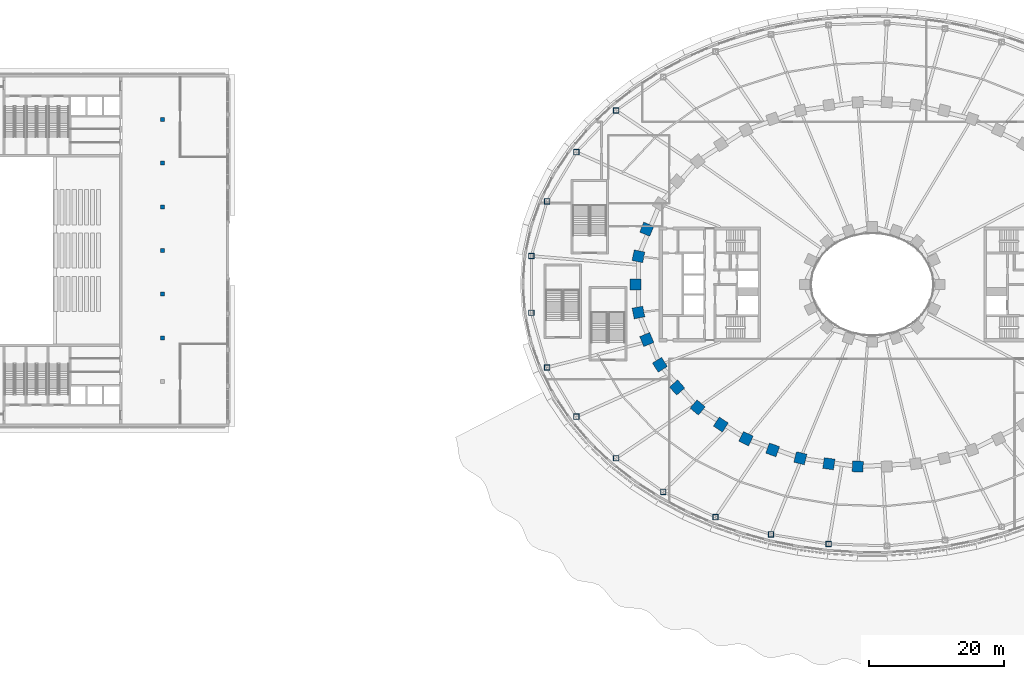
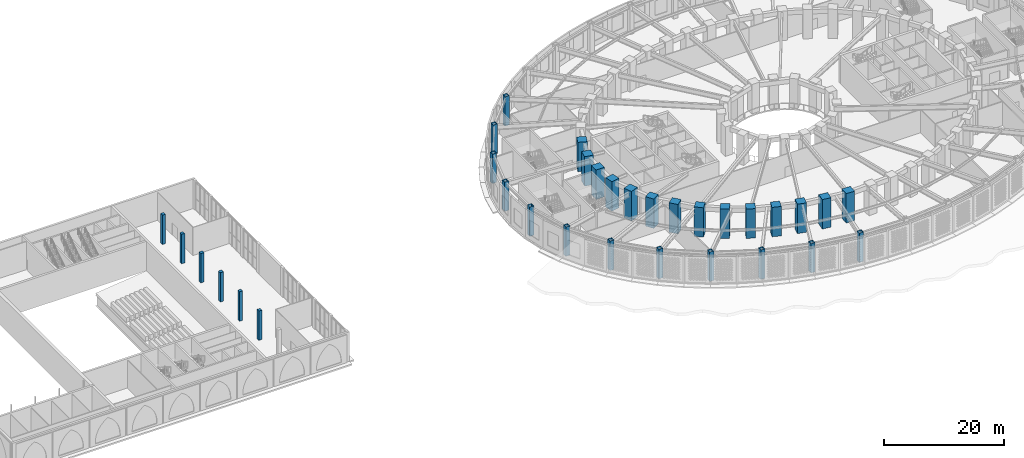
# One storey, part 4 of 74: 32 columns.
"""IFC4 building model written with IfcOpenShell, lengths in metres."""

from ifc_helpers import new_model, si_unit, direction, frame, origin, origin_2d, place, context, subcontext, project, spatial, rectangle, hollow_rectangle, extrude, material, material_profile, profile_set, type_object, element, save


model = new_model("IFC4")

# Units and contexts
model_context = context("Model", 3, precision=1e-05, world=origin(), true_north=direction((0.0, 1.0)))
body_context = subcontext(model_context, "Body", "Model", "MODEL_VIEW")
ifc_project = project(units=[si_unit("LENGTHUNIT", "METRE"), si_unit("AREAUNIT", "SQUARE_METRE"), si_unit("VOLUMEUNIT", "CUBIC_METRE"), si_unit("PLANEANGLEUNIT", "RADIAN"), si_unit("MASSUNIT", "GRAM", prefix="KILO")], contexts=[model_context])

# Site, building, storey
site_placement = place(None, origin())
site = spatial("IfcSite", under=ifc_project, at=site_placement, CompositionType="ELEMENT")
building_placement = place(site_placement, origin())
building = spatial("IfcBuilding", under=site, at=building_placement, Name="Noorbagh Ring Tower", CompositionType="ELEMENT")
storey_placement = place(building_placement, frame((0.0, 0.0, 7.5)))
storey = spatial("IfcBuildingStorey", under=building, at=storey_placement, Name="L01", CompositionType="ELEMENT", Elevation=7.5)

# Columns
ifc_material_1 = material(Name="Steel S355", Category="steel")
ifc_material_profile_1 = material_profile(ifc_material_1, hollow_rectangle(XDim=0.800048828125, YDim=0.800048828125, WallThickness=0.0400390625, at=origin_2d()), Name="BOX800x800x40")
ifc_profile_set_1 = profile_set([ifc_material_profile_1], Name="Steel S355")
column_type_1 = type_object("IfcColumnType", Name="GND-COL-BOX800x800x40", PredefinedType="COLUMN", material=ifc_profile_set_1)
for number, where, z_axis, x_axis, name in (
    (1, (-37.8330078125, 25.679931640625, 0.0), (0.0, 0.0, 1.0), (1.0, 0.0, 0.0), "L01/col/RP-14"),
    (2, (-43.6962890625, 19.52490234375, 0.0), (0.0, 0.0, 1.0), (1.0, 0.0, 0.0), "L01/col/RP-15"),
    (3, (-48.0224609375, 12.266845703125, 0.0), (0.0, 0.0, 1.0), (1.0, 0.0, 0.0), "L01/col/RP-16"),
    (4, (-50.34716796875, 4.191650390625, 0.0), (0.0, 0.0, 1.0), (1.0, 0.0, 0.0), "L01/col/RP-17"),
    (5, (-50.34716796875, -4.191650390625, 0.0), (0.0, 0.0, 1.0), (1.0, 0.0, 0.0), "L01/col/RP-18"),
    (6, (-48.0224609375, -12.266845703125, 0.0), (0.0, 0.0, 1.0), (1.0, 0.0, 0.0), "L01/col/RP-19"),
    (7, (-43.6962890625, -19.52490234375, 0.0), (0.0, 0.0, 1.0), (1.0, 0.0, 0.0), "L01/col/RP-20"),
    (8, (-37.8330078125, -25.679931640625, 0.0), (0.0, 0.0, 1.0), (1.0, 0.0, 0.0), "L01/col/RP-21"),
    (9, (-30.869384765625, -30.629150390625, 0.0), (0.0, 0.0, 1.0), (1.0, 0.0, 0.0), "L01/col/RP-22"),
    (10, (-23.152587890625, -34.36767578125, 0.0), (0.0, 0.0, 1.0), (1.0, 0.0, 0.0), "L01/col/RP-23"),
    (11, (-14.946044921875, -36.925048828125, 0.0), (0.0, 0.0, 1.0), (1.0, 0.0, 0.0), "L01/col/RP-24"),
    (12, (-6.4541015625, -38.33349609375, 0.0), (0.0, 0.0, 1.0), (1.0, 0.0, 0.0), "L01/col/RP-25"),
):
    element("IfcColumn", number, at=place(storey_placement, frame(where, z_axis=z_axis, x_axis=x_axis)), inside=storey, type_object=column_type_1, Name=name, PredefinedType="COLUMN", context=body_context, shape_type="SweptSolid", body=[
        extrude(hollow_rectangle(XDim=0.800048828125, YDim=0.800048828125, WallThickness=0.0400390625, at=origin_2d()), origin(), (0.0, 0.0, 1.0), 6.0),
    ])
ifc_material_2 = material(Name="Concrete C70/85", Category="concrete")
ifc_material_profile_2 = material_profile(ifc_material_2, rectangle(XDim=1.60009765625, YDim=1.60009765625, at=origin_2d()), Name="RC1600x1600")
ifc_profile_set_2 = profile_set([ifc_material_profile_2], Name="Concrete C70/85")
column_type_2 = type_object("IfcColumnType", Name="STR-COL-RC1600x1600-C70-85", PredefinedType="COLUMN", material=ifc_profile_set_2)
for number, where, z_axis, x_axis, name in (
    (13, (-33.30517578125, 8.1494140625, 0.0), (0.0, 0.0, 1.0), (-0.378989499959, -0.925400971969, 0.0), "L01/col/R1-22"),
    (14, (-34.52685546875, 4.150634765625, 0.0), (0.0, 0.0, 1.0), (-0.19723040178, -0.9803571638, 0.0), "L01/col/R1-23"),
    (15, (-34.944580078125, 0.0, 0.0), (0.0, 0.0, 1.0), (0.0, -1.0, 0.0), "L01/col/R1-24"),
    (16, (-34.52685546875, -4.150634765625, 0.0), (0.0, 0.0, 1.0), (0.19723040178, -0.9803571638, 0.0), "L01/col/R1-25"),
    (17, (-33.30517578125, -8.1494140625, 0.0), (0.0, 0.0, 1.0), (0.378989499959, -0.925400971969, 0.0), "L01/col/R1-26"),
    (18, (-31.364990234375, -11.87109375, 0.0), (0.0, 0.0, 1.0), (0.535190403059, -0.844731455833, 0.0), "L01/col/R1-27"),
    (19, (-28.81884765625, -15.23046875, 0.0), (0.0, 0.0, 1.0), (0.662635642662, -0.748941923699, 0.0), "L01/col/R1-28"),
    (20, (-25.78271484375, -18.180419921875, 0.0), (0.0, 0.0, 1.0), (0.763035199656, -0.646356932419, 0.0), "L01/col/R1-29"),
    (21, (-22.362060546875, -20.699951171875, 0.0), (0.0, 0.0, 1.0), (0.840247639643, -0.542202825586, 0.0), "L01/col/R1-30"),
    (22, (-18.646240234375, -22.785400390625, 0.0), (0.0, 0.0, 1.0), (0.898399080868, -0.439180021741, 0.0), "L01/col/R1-31"),
    (23, (-14.70947265625, -24.44091796875, 0.0), (0.0, 0.0, 1.0), (0.941024726094, -0.338337797003, 0.0), "L01/col/R1-32"),
    (24, (-10.61328125, -25.673583984375, 0.0), (0.0, 0.0, 1.0), (0.970829360981, -0.239771457553, 0.0), "L01/col/R1-33"),
    (25, (-6.4091796875, -26.49072265625, 0.0), (0.0, 0.0, 1.0), (0.989713114048, -0.143066249975, 0.0), "L01/col/R1-34"),
    (26, (-2.14306640625, -26.89794921875, 0.0), (0.0, 0.0, 1.0), (0.998868731212, -0.047552684538, 0.0), "L01/col/R1-35"),
):
    element("IfcColumn", number, at=place(storey_placement, frame(where, z_axis=z_axis, x_axis=x_axis)), inside=storey, type_object=column_type_2, Name=name, PredefinedType="COLUMN", context=body_context, shape_type="SweptSolid", body=[
        extrude(rectangle(XDim=1.60009765625, YDim=1.60009765625, at=origin_2d()), origin(), (0.0, 0.0, 1.0), 6.0),
    ])
ifc_material_3 = material(Name="Concrete C50/60", Category="concrete")
ifc_material_profile_3 = material_profile(ifc_material_3, rectangle(XDim=0.60009765625, YDim=0.60009765625, at=origin_2d()), Name="RC600x600")
ifc_profile_set_3 = profile_set([ifc_material_profile_3], Name="Concrete C50/60")
column_type_3 = type_object("IfcColumnType", Name="TH-COL-FOYER", PredefinedType="COLUMN", material=ifc_profile_set_3)
for number, where, z_axis, x_axis, name in (
    (27, (-104.800048828125, -7.89990234375, 0.0), (0.0, 0.0, 1.0), (1.0, 0.0, 0.0), "L01/th-col/foyer-2"),
    (28, (-104.800048828125, -1.449951171875, 0.0), (0.0, 0.0, 1.0), (1.0, 0.0, 0.0), "L01/th-col/foyer-3"),
    (29, (-104.800048828125, 5.0, 0.0), (0.0, 0.0, 1.0), (1.0, 0.0, 0.0), "L01/th-col/foyer-4"),
    (30, (-104.800048828125, 11.449951171875, 0.0), (0.0, 0.0, 1.0), (1.0, 0.0, 0.0), "L01/th-col/foyer-5"),
    (31, (-104.800048828125, 17.89990234375, 0.0), (0.0, 0.0, 1.0), (1.0, 0.0, 0.0), "L01/th-col/foyer-6"),
    (32, (-104.800048828125, 24.35009765625, 0.0), (0.0, 0.0, 1.0), (1.0, 0.0, 0.0), "L01/th-col/foyer-7"),
):
    element("IfcColumn", number, at=place(storey_placement, frame(where, z_axis=z_axis, x_axis=x_axis)), inside=storey, type_object=column_type_3, Name=name, PredefinedType="COLUMN", context=body_context, shape_type="SweptSolid", body=[
        extrude(rectangle(XDim=0.60009765625, YDim=0.60009765625, at=origin_2d()), origin(), (0.0, 0.0, 1.0), 6.0),
    ])

save(model, "model.ifc")
